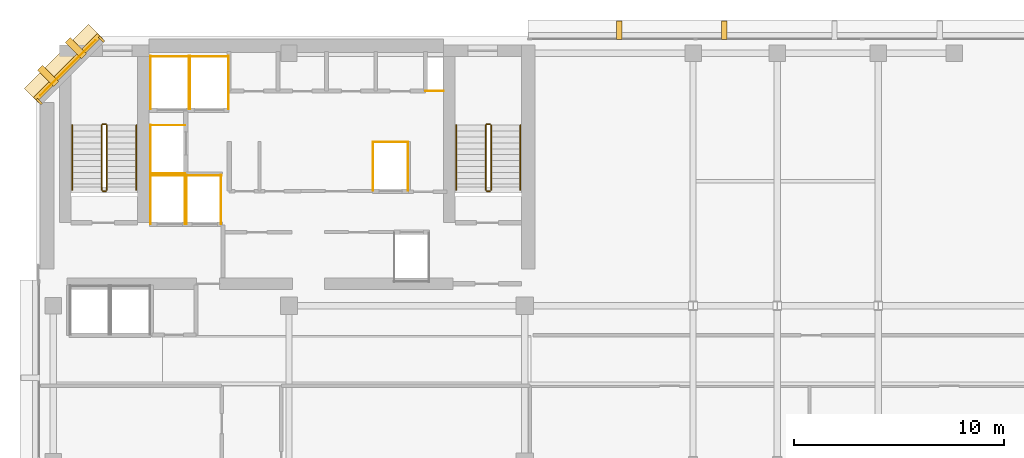
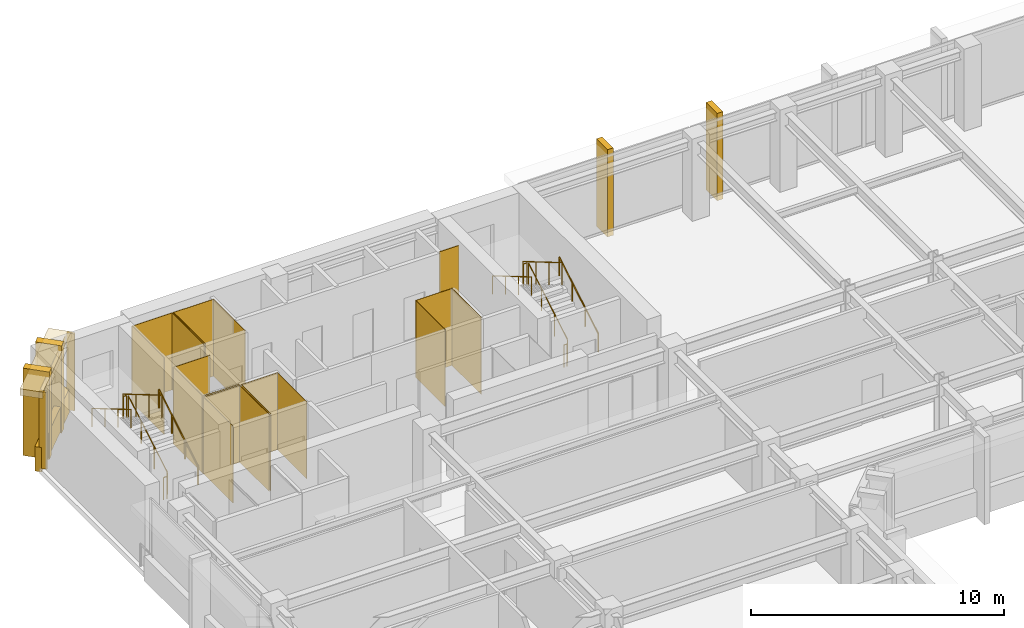
# One storey, part 11 of 12: 28 coverings, 12 railings.
"""IFC4 building model written with IfcOpenShell, lengths in metres."""

import ifcopenshell
import ifcopenshell.guid

model = None  # the IFC model being written
_history = None  # IfcOwnerHistory: only IFC2X3 demands one
_inside = {}  # id of a spatial element -> (the spatial element, [elements in it])
_under = {}  # id of a project, library or spatial element -> (it, [spatial elements below it])
_declared = {}  # id of a project -> (the project, [libraries it declares])
_typed = {}  # id of a type object -> (the type object, [elements of that type])
_made_of = {}  # id of a material, layer set ... -> (it, [elements and type objects made of it])


def new_model(schema):
    """Start an empty IFC model of exactly this schema.

    Asked for "IFC4X3", IfcOpenShell would pick the latest addendum, in which some entities
    have other attributes; the version numbers below select the first issue.
    IFC2X3 requires an IfcOwnerHistory on every rooted entity: one is made here for all.
    """
    global model, _history
    if schema == "IFC4X3":
        model = ifcopenshell.file(schema_version=(4, 3, 0, 0))
    else:
        model = ifcopenshell.file(schema=schema)
    _inside.clear()
    _under.clear()
    _declared.clear()
    _typed.clear()
    _made_of.clear()
    _history = None
    if model.schema == "IFC2X3":
        org = make("IfcOrganization", Name="unknown")
        user = make(
            "IfcPersonAndOrganization",
            ThePerson=make("IfcPerson", FamilyName="unknown"),
            TheOrganization=org,
        )
        app = make(
            "IfcApplication",
            ApplicationDeveloper=org,
            Version="unknown",
            ApplicationFullName="unknown",
            ApplicationIdentifier="unknown",
        )
        _history = make(
            "IfcOwnerHistory",
            OwningUser=user,
            OwningApplication=app,
            ChangeAction="ADDED",
            CreationDate=0,
        )
    return model


def make(cls, **values):
    """One entity of the class cls with the attributes given. An attribute that is None is left unset."""
    return model.create_entity(
        cls, **{name: value for name, value in values.items() if value is not None}
    )


def rooted(cls, **values):
    """An entity with a GlobalId (a new one), such as an element, a storey or a relation."""
    return make(cls, GlobalId=ifcopenshell.guid.new(), OwnerHistory=_history, **values)


def si_unit(unit_type, name, prefix=None):
    """IfcSIUnit, for example si_unit("LENGTHUNIT", "METRE", prefix="MILLI")."""
    return make("IfcSIUnit", UnitType=unit_type, Prefix=prefix, Name=name)


def assignment(units):
    """IfcUnitAssignment: the units of a project."""
    return None if units is None else make("IfcUnitAssignment", Units=units)


def point(xyz):
    """IfcCartesianPoint."""
    return None if xyz is None else make("IfcCartesianPoint", Coordinates=xyz)


def direction(xyz):
    """IfcDirection."""
    return None if xyz is None else make("IfcDirection", DirectionRatios=xyz)


def frame(location, z_axis=None, x_axis=None):
    """IfcAxis2Placement3D, a coordinate frame: its origin and axes. An axis left out is left unset."""
    return make(
        "IfcAxis2Placement3D",
        Location=point(location),
        Axis=direction(z_axis),
        RefDirection=direction(x_axis),
    )


def frame_2d(location, x_axis=None):
    """IfcAxis2Placement2D, a coordinate frame in the plane: its origin and x axis."""
    return make(
        "IfcAxis2Placement2D", Location=point(location), RefDirection=direction(x_axis)
    )


def origin():
    """The frame at (0, 0, 0) with its axes left unset."""
    return frame((0.0, 0.0, 0.0))


def origin_2d():
    """The frame at (0, 0) in the plane with its x axis left unset."""
    return frame_2d((0.0, 0.0))


def place(relative_to, where):
    """IfcLocalPlacement: puts the frame where relative to a parent placement (None: the world)."""
    return make(
        "IfcLocalPlacement", PlacementRelTo=relative_to, RelativePlacement=where
    )


def context(
    kind, dimensions, precision=None, world=None, true_north=None, identifier=None
):
    """IfcGeometricRepresentationContext, for example the 3D "Model" context."""
    return make(
        "IfcGeometricRepresentationContext",
        ContextIdentifier=identifier,
        ContextType=kind,
        CoordinateSpaceDimension=dimensions,
        Precision=precision,
        WorldCoordinateSystem=world,
        TrueNorth=true_north,
    )


def subcontext(parent, identifier, kind, view, scale=None):
    """IfcGeometricRepresentationSubContext, for example "Body" below "Model"."""
    return make(
        "IfcGeometricRepresentationSubContext",
        ContextIdentifier=identifier,
        ContextType=kind,
        ParentContext=parent,
        TargetScale=scale,
        TargetView=view,
    )


def project(units=None, contexts=None):
    """IfcProject with its units and contexts."""
    return rooted(
        "IfcProject",
        Name="project",
        RepresentationContexts=contexts,
        UnitsInContext=assignment(units),
    )


def spatial(cls, under=None, at=None, **own):
    """A site, building, storey or space (cls), placed at a placement, below another one or the project."""
    s = rooted(cls, ObjectPlacement=at, **own)
    if under is not None:
        _under.setdefault(under.id(), (under, []))[1].append(s)
    return s


def polyline(points):
    """IfcPolyline through the points."""
    return make("IfcPolyline", Points=[point(p) for p in points])


def profile(cls, at=None, kind="AREA", **sizes):
    """A parametric profile (cls). Its sizes go by their IFC names, for example OverallWidth=200.0."""
    return make(cls, ProfileType=kind, Position=at, **sizes)


def rectangle(**sizes):
    """IfcRectangleProfileDef."""
    return profile("IfcRectangleProfileDef", **sizes)


def circle(**sizes):
    """IfcCircleProfileDef."""
    return profile("IfcCircleProfileDef", **sizes)


def outline(outer, holes=None, kind="AREA"):
    """IfcArbitraryClosedProfileDef: a profile drawn as a closed curve; with holes, ...WithVoids."""
    if holes is None:
        return make("IfcArbitraryClosedProfileDef", ProfileType=kind, OuterCurve=outer)
    return make(
        "IfcArbitraryProfileDefWithVoids",
        ProfileType=kind,
        OuterCurve=outer,
        InnerCurves=holes,
    )


def extrude(swept, where, along, depth):
    """IfcExtrudedAreaSolid: the profile swept, set in the frame where, extruded along a direction by depth."""
    return make(
        "IfcExtrudedAreaSolid",
        SweptArea=swept,
        Position=where,
        ExtrudedDirection=direction(along),
        Depth=depth,
    )


def shape(context_of_items, identifier, shape_type, items):
    """IfcShapeRepresentation: the items that make up one representation, for example the "Body"."""
    return make(
        "IfcShapeRepresentation",
        ContextOfItems=context_of_items,
        RepresentationIdentifier=identifier,
        RepresentationType=shape_type,
        Items=items,
    )


def material(Name=None, Category=None):
    """IfcMaterial."""
    return make("IfcMaterial", Name=Name, Category=Category)


def layer(
    of_material, thickness, ventilated=None, Name=None, Category=None, Priority=None
):
    """IfcMaterialLayer: one layer of a wall or slab, of a material (None: an air gap)."""
    return make(
        "IfcMaterialLayer",
        Material=of_material,
        LayerThickness=thickness,
        IsVentilated=ventilated,
        Name=Name,
        Category=Category,
        Priority=Priority,
    )


def layer_set(layers, Name=None):
    """IfcMaterialLayerSet."""
    return make("IfcMaterialLayerSet", MaterialLayers=layers, LayerSetName=Name)


def made_of(thing, what):
    """Note that an element or type object is made of a material, layer set ...; save() writes the relation."""
    if what is not None:
        _made_of.setdefault(what.id(), (what, []))[1].append(thing)
    return thing


def type_object(cls, material=None, **own):
    """A type object (cls), such as IfcWallType, which elements share."""
    return made_of(rooted(cls, **own), material)


def element(
    cls,
    number,
    at=None,
    inside=None,
    cuts=None,
    type_object=None,
    material=None,
    context=None,
    identifier="Body",
    shape_type=None,
    held_by="IfcProductDefinitionShape",
    body=None,
    shapes=None,
    **own,
):
    """One element of the class cls, such as IfcWall. Its Tag is "e" and its number.

    at: its placement. inside: the storey or other place that contains it. cuts: it is an
    opening in that element (IfcRelVoidsElement). A single representation is given by context,
    identifier, shape_type and body (its items); several are given by shapes. held_by: the class
    of the entity that holds the representations. save() writes the other relations.
    """
    e = rooted(cls, Tag="e%d" % number, ObjectPlacement=at, **own)
    if body is not None:
        shapes = [shape(context, identifier, shape_type, body)]
    if shapes is not None:
        e.Representation = make(held_by, Representations=shapes)
    if inside is not None:
        _inside.setdefault(inside.id(), (inside, []))[1].append(e)
    if cuts is not None:
        rooted(
            "IfcRelVoidsElement", RelatingBuildingElement=cuts, RelatedOpeningElement=e
        )
    if type_object is not None:
        _typed.setdefault(type_object.id(), (type_object, []))[1].append(e)
    return made_of(e, material)


def aggregate(whole, parts):
    """IfcRelAggregates: a whole, such as a stair, and the parts it consists of."""
    return rooted("IfcRelAggregates", RelatingObject=whole, RelatedObjects=parts)


def save(model, path):
    """Write the relations noted so far, then the file.

    IfcRelAggregates (storeys below a building ...), IfcRelContainedInSpatialStructure (elements
    in a storey), IfcRelDefinesByType, IfcRelAssociatesMaterial and IfcRelDeclares: one each for
    every whole, place, type object, material and project.
    """
    for whole, parts in _under.values():
        aggregate(whole, parts)
    for where, things in _inside.values():
        rooted(
            "IfcRelContainedInSpatialStructure",
            RelatedElements=things,
            RelatingStructure=where,
        )
    for kind, things in _typed.values():
        rooted("IfcRelDefinesByType", RelatedObjects=things, RelatingType=kind)
    for what, things in _made_of.values():
        rooted("IfcRelAssociatesMaterial", RelatedObjects=things, RelatingMaterial=what)
    for by, libraries in _declared.values():
        rooted("IfcRelDeclares", RelatingContext=by, RelatedDefinitions=libraries)
    model.write(path)


model = new_model("IFC4")

# Units and contexts
model_context = context("Model", 3, precision=1e-05, world=origin(), true_north=direction((0.0, 1.0)))
body_context = subcontext(model_context, "Body", "Model", "MODEL_VIEW")
ifc_project = project(units=[si_unit("LENGTHUNIT", "METRE"), si_unit("AREAUNIT", "SQUARE_METRE"), si_unit("VOLUMEUNIT", "CUBIC_METRE"), si_unit("PLANEANGLEUNIT", "RADIAN"), si_unit("MASSUNIT", "GRAM", prefix="KILO")], contexts=[model_context])

# Site, building, storey
site_placement = place(None, origin())
site = spatial("IfcSite", under=ifc_project, at=site_placement, CompositionType="ELEMENT")
building_placement = place(site_placement, origin())
building = spatial("IfcBuilding", under=site, at=building_placement, Name="Kefirva Bronze Tower", CompositionType="ELEMENT")
storey_placement = place(building_placement, frame((0.0, 0.0, 264.330078125)))
storey = spatial("IfcBuildingStorey", under=building, at=storey_placement, Name="L64", CompositionType="ELEMENT", Elevation=264.330078125)

# Coverings
ifc_material_1 = material(Name="Bronze anodised aluminium", Category="aluminium")
ifc_layer_1 = layer(ifc_material_1, 0.02001953125, Name="Bronze anodised aluminium")
ifc_layer_set_1 = layer_set([ifc_layer_1], Name="Bronze anodised aluminium")
covering_type_1 = type_object("IfcCoveringType", Name="Anodised Bronze Spandrel Cladding 20mm", PredefinedType="CLADDING", material=ifc_layer_set_1)
covering_1_placement = place(storey_placement, frame((1.492919921875, 44.507080078125, 3.2900390625), z_axis=(0.0, 0.0, 1.0), x_axis=(-0.707106781187, -0.707106781187, 0.0)))
element("IfcCovering", 1, at=covering_1_placement, inside=storey, type_object=covering_type_1, Name="L64 Bronze Spandrel Cladding 9", PredefinedType="CLADDING", context=body_context, shape_type="SweptSolid", body=[
    extrude(rectangle(XDim=3.719482421875, YDim=0.02001953125, at=origin_2d()), origin(), (0.0, 0.0, 1.0), 0.39990234375),
])
for number, where, z_axis, x_axis, name in (
    (2, (3.08837890625, 45.862060546875, 0.0), (0.0, 0.0, 1.0), (-0.707106781187, -0.707106781187, 0.0), "L64 Facade Joint Closure Panel 9S"),
    (3, (0.137939453125, 42.91162109375, 0.0), (0.0, 0.0, 1.0), (-0.707106781187, -0.707106781187, 0.0), "L64 Facade Joint Closure Panel 9E"),
):
    element("IfcCovering", number, at=place(storey_placement, frame(where, z_axis=z_axis, x_axis=x_axis)), inside=storey, type_object=covering_type_1, Name=name, PredefinedType="CLADDING", context=body_context, shape_type="SweptSolid", body=[
        extrude(rectangle(XDim=0.10009765625, YDim=0.320068359375, at=origin_2d()), origin(), (0.0, 0.0, 1.0), 3.7099609375),
    ])
covering_2_placement = place(storey_placement, frame((1.4716796875, 44.5283203125, -0.16015625), z_axis=(0.0, 0.0, 1.0), x_axis=(-0.707106781187, -0.707106781187, 0.0)))
element("IfcCovering", 4, at=covering_2_placement, inside=storey, type_object=covering_type_1, Name="L64 Streamline Horizontal Spandrel Band 13", PredefinedType="CLADDING", context=body_context, shape_type="SweptSolid", body=[
    extrude(rectangle(XDim=4.28271484375, YDim=0.280029296875, at=origin_2d()), origin(), (0.0, 0.0, 1.0), 1.179931640625),
])
covering_3_placement = place(storey_placement, origin())
element("IfcCovering", 5, at=covering_3_placement, inside=storey, type_object=covering_type_1, Name="L64 Lift FF1 Hoistway Liner N", PredefinedType="CLADDING", context=body_context, shape_type="SweptSolid", body=[
    extrude(outline(polyline([(5.39990234375, 39.389892578125), (7.080078125, 39.389892578125), (7.080078125, 39.409912109375), (5.39990234375, 39.409912109375), (5.39990234375, 39.389892578125)])), origin(), (0.0, 0.0, 1.0), 3.7099609375),
])
covering_4_placement = place(storey_placement, origin())
element("IfcCovering", 6, at=covering_4_placement, inside=storey, type_object=covering_type_1, Name="L64 Lift FF1 Hoistway Liner W", PredefinedType="CLADDING", context=body_context, shape_type="SweptSolid", body=[
    extrude(outline(polyline([(5.409912109375, 37.080078125), (5.429931640625, 37.080078125), (5.429931640625, 39.419921875), (5.409912109375, 39.419921875), (5.409912109375, 37.080078125)])), origin(), (0.0, 0.0, 1.0), 3.7099609375),
])
covering_5_placement = place(storey_placement, origin())
element("IfcCovering", 7, at=covering_5_placement, inside=storey, type_object=covering_type_1, Name="L64 Lift FF1 Hoistway Liner E", PredefinedType="CLADDING", context=body_context, shape_type="SweptSolid", body=[
    extrude(outline(polyline([(7.050048828125, 37.080078125), (7.070068359375, 37.080078125), (7.070068359375, 39.419921875), (7.050048828125, 39.419921875), (7.050048828125, 37.080078125)])), origin(), (0.0, 0.0, 1.0), 3.7099609375),
])
covering_6_placement = place(storey_placement, origin())
element("IfcCovering", 8, at=covering_6_placement, inside=storey, type_object=covering_type_1, Name="L64 Lift FF2 Hoistway Liner N", PredefinedType="CLADDING", context=body_context, shape_type="SweptSolid", body=[
    extrude(outline(polyline([(7.1201171875, 39.389892578125), (8.800048828125, 39.389892578125), (8.800048828125, 39.409912109375), (7.1201171875, 39.409912109375), (7.1201171875, 39.389892578125)])), origin(), (0.0, 0.0, 1.0), 3.7099609375),
])
covering_7_placement = place(storey_placement, origin())
element("IfcCovering", 9, at=covering_7_placement, inside=storey, type_object=covering_type_1, Name="L64 Lift FF2 Hoistway Liner W", PredefinedType="CLADDING", context=body_context, shape_type="SweptSolid", body=[
    extrude(outline(polyline([(7.1298828125, 37.080078125), (7.14990234375, 37.080078125), (7.14990234375, 39.419921875), (7.1298828125, 39.419921875), (7.1298828125, 37.080078125)])), origin(), (0.0, 0.0, 1.0), 3.7099609375),
])
covering_8_placement = place(storey_placement, origin())
element("IfcCovering", 10, at=covering_8_placement, inside=storey, type_object=covering_type_1, Name="L64 Lift FF2 Hoistway Liner E", PredefinedType="CLADDING", context=body_context, shape_type="SweptSolid", body=[
    extrude(outline(polyline([(8.77001953125, 37.080078125), (8.7900390625, 37.080078125), (8.7900390625, 39.419921875), (8.77001953125, 39.419921875), (8.77001953125, 37.080078125)])), origin(), (0.0, 0.0, 1.0), 3.7099609375),
])
covering_9_placement = place(storey_placement, origin())
element("IfcCovering", 11, at=covering_9_placement, inside=storey, type_object=covering_type_1, Name="L64 Lift SV1 Hoistway Liner N", PredefinedType="CLADDING", context=body_context, shape_type="SweptSolid", body=[
    extrude(outline(polyline([(5.39990234375, 45.0400390625), (7.260009765625, 45.0400390625), (7.260009765625, 45.06005859375), (5.39990234375, 45.06005859375), (5.39990234375, 45.0400390625)])), origin(), (0.0, 0.0, 1.0), 3.7099609375),
])
covering_10_placement = place(storey_placement, origin())
element("IfcCovering", 12, at=covering_10_placement, inside=storey, type_object=covering_type_1, Name="L64 Lift SV1 Hoistway Liner W", PredefinedType="CLADDING", context=body_context, shape_type="SweptSolid", body=[
    extrude(outline(polyline([(5.409912109375, 42.530029296875), (5.429931640625, 42.530029296875), (5.429931640625, 45.070068359375), (5.409912109375, 45.070068359375), (5.409912109375, 42.530029296875)])), origin(), (0.0, 0.0, 1.0), 3.7099609375),
])
covering_11_placement = place(storey_placement, origin())
element("IfcCovering", 13, at=covering_11_placement, inside=storey, type_object=covering_type_1, Name="L64 Lift SV1 Hoistway Liner E", PredefinedType="CLADDING", context=body_context, shape_type="SweptSolid", body=[
    extrude(outline(polyline([(7.22998046875, 42.530029296875), (7.25, 42.530029296875), (7.25, 45.070068359375), (7.22998046875, 45.070068359375), (7.22998046875, 42.530029296875)])), origin(), (0.0, 0.0, 1.0), 3.7099609375),
])
covering_12_placement = place(storey_placement, origin())
element("IfcCovering", 14, at=covering_12_placement, inside=storey, type_object=covering_type_1, Name="L64 Lift SV2 Hoistway Liner N", PredefinedType="CLADDING", context=body_context, shape_type="SweptSolid", body=[
    extrude(outline(polyline([(7.280029296875, 45.0400390625), (9.139892578125, 45.0400390625), (9.139892578125, 45.06005859375), (7.280029296875, 45.06005859375), (7.280029296875, 45.0400390625)])), origin(), (0.0, 0.0, 1.0), 3.7099609375),
])
covering_13_placement = place(storey_placement, origin())
element("IfcCovering", 15, at=covering_13_placement, inside=storey, type_object=covering_type_1, Name="L64 Lift SV2 Hoistway Liner W", PredefinedType="CLADDING", context=body_context, shape_type="SweptSolid", body=[
    extrude(outline(polyline([(7.2900390625, 42.530029296875), (7.31005859375, 42.530029296875), (7.31005859375, 45.070068359375), (7.2900390625, 45.070068359375), (7.2900390625, 42.530029296875)])), origin(), (0.0, 0.0, 1.0), 3.7099609375),
])
covering_14_placement = place(storey_placement, origin())
element("IfcCovering", 16, at=covering_14_placement, inside=storey, type_object=covering_type_1, Name="L64 Lift SV2 Hoistway Liner E", PredefinedType="CLADDING", context=body_context, shape_type="SweptSolid", body=[
    extrude(outline(polyline([(9.110107421875, 42.530029296875), (9.1298828125, 42.530029296875), (9.1298828125, 45.070068359375), (9.110107421875, 45.070068359375), (9.110107421875, 42.530029296875)])), origin(), (0.0, 0.0, 1.0), 3.7099609375),
])
covering_15_placement = place(storey_placement, origin())
element("IfcCovering", 17, at=covering_15_placement, inside=storey, type_object=covering_type_1, Name="L64 Lift HP2 Hoistway Liner N", PredefinedType="CLADDING", context=body_context, shape_type="SweptSolid", body=[
    extrude(outline(polyline([(15.97998046875, 40.969970703125), (17.669921875, 40.969970703125), (17.669921875, 40.989990234375), (15.97998046875, 40.989990234375), (15.97998046875, 40.969970703125)])), origin(), (0.0, 0.0, 1.0), 3.7099609375),
])
covering_16_placement = place(storey_placement, origin())
element("IfcCovering", 18, at=covering_16_placement, inside=storey, type_object=covering_type_1, Name="L64 Lift HP2 Hoistway Liner W", PredefinedType="CLADDING", context=body_context, shape_type="SweptSolid", body=[
    extrude(outline(polyline([(15.989990234375, 38.659912109375), (16.010009765625, 38.659912109375), (16.010009765625, 41.0), (15.989990234375, 41.0), (15.989990234375, 38.659912109375)])), origin(), (0.0, 0.0, 1.0), 3.7099609375),
])
covering_17_placement = place(storey_placement, origin())
element("IfcCovering", 19, at=covering_17_placement, inside=storey, type_object=covering_type_1, Name="L64 Lift HP2 Hoistway Liner E", PredefinedType="CLADDING", context=body_context, shape_type="SweptSolid", body=[
    extrude(outline(polyline([(17.639892578125, 38.659912109375), (17.659912109375, 38.659912109375), (17.659912109375, 41.0), (17.639892578125, 41.0), (17.639892578125, 38.659912109375)])), origin(), (0.0, 0.0, 1.0), 3.7099609375),
])
covering_18_placement = place(storey_placement, origin())
element("IfcCovering", 20, at=covering_18_placement, inside=storey, type_object=covering_type_1, Name="L64 Lift HP3 Hoistway Liner N", PredefinedType="CLADDING", context=body_context, shape_type="SweptSolid", body=[
    extrude(outline(polyline([(5.39990234375, 41.77001953125), (7.080078125, 41.77001953125), (7.080078125, 41.7900390625), (5.39990234375, 41.7900390625), (5.39990234375, 41.77001953125)])), origin(), (0.0, 0.0, 1.0), 3.7099609375),
])
covering_19_placement = place(storey_placement, origin())
element("IfcCovering", 21, at=covering_19_placement, inside=storey, type_object=covering_type_1, Name="L64 Lift HP3 Hoistway Liner S", PredefinedType="CLADDING", context=body_context, shape_type="SweptSolid", body=[
    extrude(outline(polyline([(5.39990234375, 39.469970703125), (7.080078125, 39.469970703125), (7.080078125, 39.489990234375), (5.39990234375, 39.489990234375), (5.39990234375, 39.469970703125)])), origin(), (0.0, 0.0, 1.0), 3.7099609375),
])
covering_20_placement = place(storey_placement, origin())
element("IfcCovering", 22, at=covering_20_placement, inside=storey, type_object=covering_type_1, Name="L64 Lift HP3 Hoistway Liner W", PredefinedType="CLADDING", context=body_context, shape_type="SweptSolid", body=[
    extrude(outline(polyline([(5.409912109375, 39.4599609375), (5.429931640625, 39.4599609375), (5.429931640625, 41.800048828125), (5.409912109375, 41.800048828125), (5.409912109375, 39.4599609375)])), origin(), (0.0, 0.0, 1.0), 3.7099609375),
])
covering_21_placement = place(storey_placement, origin())
element("IfcCovering", 23, at=covering_21_placement, inside=storey, type_object=covering_type_1, Name="L64 Core MEP Riser Shaft Liner South", PredefinedType="CLADDING", context=body_context, shape_type="SweptSolid", body=[
    extrude(outline(polyline([(18.47998046875, 43.39990234375), (19.360107421875, 43.39990234375), (19.360107421875, 43.429931640625), (18.47998046875, 43.429931640625), (18.47998046875, 43.39990234375)])), origin(), (0.0, 0.0, 1.0), 3.7099609375),
])

# Railings
ifc_material_2 = material(Name="Stainless steel 316", Category="steel")
railing_type_1 = type_object("IfcRailingType", Name="Interior Stair Guardrail 1100mm", PredefinedType="GUARDRAIL", material=ifc_material_2)
railing_1_placement = place(storey_placement, frame((3.35009765625, 38.699951171875, 0.1650390625)))
element("IfcRailing", 24, at=railing_1_placement, inside=storey, type_object=railing_type_1, Name="L64 ST-1 stair guard 1", PredefinedType="GUARDRAIL", context=body_context, shape_type="SweptSolid", body=[
    extrude(circle(Radius=0.02392578125, at=origin_2d()), frame((0.0, 0.0, 1.076171875), z_axis=(0.0, 0.861551262678, 0.507670583921), x_axis=(-1.0, 0.0, 0.0)), (0.0, 0.0, 1.0), 3.574951171875),
    extrude(circle(Radius=0.02099609375, at=origin_2d()), origin(), (0.0, 0.0, 1.0), 1.052001953125),
    extrude(circle(Radius=0.02099609375, at=origin_2d()), frame((0.0, 1.026611328125, 0.60498046875)), (0.0, 0.0, 1.0), 1.052001953125),
    extrude(circle(Radius=0.02099609375, at=origin_2d()), frame((0.0, 2.053466796875, 1.2099609375)), (0.0, 0.0, 1.0), 1.052001953125),
    extrude(circle(Radius=0.02099609375, at=origin_2d()), frame((0.0, 3.080078125, 1.81494140625)), (0.0, 0.0, 1.0), 1.052001953125),
])
railing_2_placement = place(storey_placement, frame((3.300048828125, 41.830078125, 1.97998046875)))
element("IfcRailing", 25, at=railing_2_placement, inside=storey, type_object=railing_type_1, Name="L64 ST-1 stair guard 2", PredefinedType="GUARDRAIL", context=body_context, shape_type="SweptSolid", body=[
    extrude(circle(Radius=0.02392578125, at=origin_2d()), frame((0.0, 0.0, 1.076171875), z_axis=(-1.0, 0.0, 0.0), x_axis=(0.0, -1.0, 0.0)), (0.0, 0.0, 1.0), 0.150146484375),
    extrude(circle(Radius=0.02099609375, at=origin_2d()), origin(), (0.0, 0.0, 1.0), 1.052001953125),
    extrude(circle(Radius=0.02099609375, at=origin_2d()), frame((-0.150146484375, 0.0, 0.0)), (0.0, 0.0, 1.0), 1.052001953125),
])
railing_3_placement = place(storey_placement, frame((3.10009765625, 41.780029296875, 2.14501953125)))
element("IfcRailing", 26, at=railing_3_placement, inside=storey, type_object=railing_type_1, Name="L64 ST-1 stair guard 3", PredefinedType="GUARDRAIL", context=body_context, shape_type="SweptSolid", body=[
    extrude(circle(Radius=0.02392578125, at=origin_2d()), frame((0.0, 0.0, 1.076171875), z_axis=(0.0, -0.861551262678, 0.507670583921), x_axis=(1.0, 0.0, 0.0)), (0.0, 0.0, 1.0), 3.574951171875),
    extrude(circle(Radius=0.02099609375, at=origin_2d()), origin(), (0.0, 0.0, 1.0), 1.052001953125),
    extrude(circle(Radius=0.02099609375, at=origin_2d()), frame((0.0, -1.026611328125, 0.60498046875)), (0.0, 0.0, 1.0), 1.052001953125),
    extrude(circle(Radius=0.02099609375, at=origin_2d()), frame((0.0, -2.053466796875, 1.2099609375)), (0.0, 0.0, 1.0), 1.052001953125),
    extrude(circle(Radius=0.02099609375, at=origin_2d()), frame((0.0, -3.080078125, 1.81494140625)), (0.0, 0.0, 1.0), 1.052001953125),
])
railing_4_placement = place(storey_placement, frame((3.300048828125, 38.64990234375, 0.0)))
element("IfcRailing", 27, at=railing_4_placement, inside=storey, type_object=railing_type_1, Name="L64 ST-1 stair guard 4", PredefinedType="GUARDRAIL", context=body_context, shape_type="SweptSolid", body=[
    extrude(circle(Radius=0.02392578125, at=origin_2d()), frame((0.0, 0.0, 1.076171875), z_axis=(-1.0, 0.0, 0.0), x_axis=(0.0, -1.0, 0.0)), (0.0, 0.0, 1.0), 0.150146484375),
    extrude(circle(Radius=0.02099609375, at=origin_2d()), origin(), (0.0, 0.0, 1.0), 1.052001953125),
    extrude(circle(Radius=0.02099609375, at=origin_2d()), frame((-0.150146484375, 0.0, 0.0)), (0.0, 0.0, 1.0), 1.052001953125),
])
railing_5_placement = place(storey_placement, frame((21.60009765625, 38.699951171875, 0.1650390625)))
element("IfcRailing", 28, at=railing_5_placement, inside=storey, type_object=railing_type_1, Name="L64 ST-2 stair guard 1", PredefinedType="GUARDRAIL", context=body_context, shape_type="SweptSolid", body=[
    extrude(circle(Radius=0.02392578125, at=origin_2d()), frame((0.0, 0.0, 1.076171875), z_axis=(0.0, 0.861551262678, 0.507670583921), x_axis=(-1.0, 0.0, 0.0)), (0.0, 0.0, 1.0), 3.574951171875),
    extrude(circle(Radius=0.02099609375, at=origin_2d()), origin(), (0.0, 0.0, 1.0), 1.052001953125),
    extrude(circle(Radius=0.02099609375, at=origin_2d()), frame((0.0, 1.026611328125, 0.60498046875)), (0.0, 0.0, 1.0), 1.052001953125),
    extrude(circle(Radius=0.02099609375, at=origin_2d()), frame((0.0, 2.053466796875, 1.2099609375)), (0.0, 0.0, 1.0), 1.052001953125),
    extrude(circle(Radius=0.02099609375, at=origin_2d()), frame((0.0, 3.080078125, 1.81494140625)), (0.0, 0.0, 1.0), 1.052001953125),
])
railing_6_placement = place(storey_placement, frame((21.550048828125, 41.830078125, 1.97998046875)))
element("IfcRailing", 29, at=railing_6_placement, inside=storey, type_object=railing_type_1, Name="L64 ST-2 stair guard 2", PredefinedType="GUARDRAIL", context=body_context, shape_type="SweptSolid", body=[
    extrude(circle(Radius=0.02392578125, at=origin_2d()), frame((0.0, 0.0, 1.076171875), z_axis=(-1.0, 0.0, 0.0), x_axis=(0.0, -1.0, 0.0)), (0.0, 0.0, 1.0), 0.150146484375),
    extrude(circle(Radius=0.02099609375, at=origin_2d()), origin(), (0.0, 0.0, 1.0), 1.052001953125),
    extrude(circle(Radius=0.02099609375, at=origin_2d()), frame((-0.150146484375, 0.0, 0.0)), (0.0, 0.0, 1.0), 1.052001953125),
])
railing_7_placement = place(storey_placement, frame((21.35009765625, 41.780029296875, 2.14501953125)))
element("IfcRailing", 30, at=railing_7_placement, inside=storey, type_object=railing_type_1, Name="L64 ST-2 stair guard 3", PredefinedType="GUARDRAIL", context=body_context, shape_type="SweptSolid", body=[
    extrude(circle(Radius=0.02392578125, at=origin_2d()), frame((0.0, 0.0, 1.076171875), z_axis=(0.0, -0.861551262678, 0.507670583921), x_axis=(1.0, 0.0, 0.0)), (0.0, 0.0, 1.0), 3.574951171875),
    extrude(circle(Radius=0.02099609375, at=origin_2d()), origin(), (0.0, 0.0, 1.0), 1.052001953125),
    extrude(circle(Radius=0.02099609375, at=origin_2d()), frame((0.0, -1.026611328125, 0.60498046875)), (0.0, 0.0, 1.0), 1.052001953125),
    extrude(circle(Radius=0.02099609375, at=origin_2d()), frame((0.0, -2.053466796875, 1.2099609375)), (0.0, 0.0, 1.0), 1.052001953125),
    extrude(circle(Radius=0.02099609375, at=origin_2d()), frame((0.0, -3.080078125, 1.81494140625)), (0.0, 0.0, 1.0), 1.052001953125),
])
railing_8_placement = place(storey_placement, frame((21.550048828125, 38.64990234375, 0.0)))
element("IfcRailing", 31, at=railing_8_placement, inside=storey, type_object=railing_type_1, Name="L64 ST-2 stair guard 4", PredefinedType="GUARDRAIL", context=body_context, shape_type="SweptSolid", body=[
    extrude(circle(Radius=0.02392578125, at=origin_2d()), frame((0.0, 0.0, 1.076171875), z_axis=(-1.0, 0.0, 0.0), x_axis=(0.0, -1.0, 0.0)), (0.0, 0.0, 1.0), 0.150146484375),
    extrude(circle(Radius=0.02099609375, at=origin_2d()), origin(), (0.0, 0.0, 1.0), 1.052001953125),
    extrude(circle(Radius=0.02099609375, at=origin_2d()), frame((-0.150146484375, 0.0, 0.0)), (0.0, 0.0, 1.0), 1.052001953125),
])
railing_type_2 = type_object("IfcRailingType", Name="Stair Pitch Handrail 900mm", PredefinedType="HANDRAIL", material=ifc_material_2)
railing_9_placement = place(storey_placement, frame((4.75, 38.699951171875, 0.1650390625)))
element("IfcRailing", 32, at=railing_9_placement, inside=storey, type_object=railing_type_2, Name="L64 ST-1 stair handrail 1", PredefinedType="HANDRAIL", context=body_context, shape_type="SweptSolid", body=[
    extrude(circle(Radius=0.02392578125, at=origin_2d()), frame((0.0, 0.0, 0.8759765625), z_axis=(0.0, 0.861551262678, 0.507670583921), x_axis=(-1.0, 0.0, 0.0)), (0.0, 0.0, 1.0), 3.574951171875),
    extrude(circle(Radius=0.02099609375, at=origin_2d()), origin(), (0.0, 0.0, 1.0), 0.851806640625),
    extrude(circle(Radius=0.02099609375, at=origin_2d()), frame((0.0, 1.026611328125, 0.60498046875)), (0.0, 0.0, 1.0), 0.851806640625),
    extrude(circle(Radius=0.02099609375, at=origin_2d()), frame((0.0, 2.053466796875, 1.2099609375)), (0.0, 0.0, 1.0), 0.851806640625),
    extrude(circle(Radius=0.02099609375, at=origin_2d()), frame((0.0, 3.080078125, 1.81494140625)), (0.0, 0.0, 1.0), 0.851806640625),
])
railing_10_placement = place(storey_placement, frame((1.699951171875, 41.780029296875, 2.14501953125)))
element("IfcRailing", 33, at=railing_10_placement, inside=storey, type_object=railing_type_2, Name="L64 ST-1 stair handrail 2", PredefinedType="HANDRAIL", context=body_context, shape_type="SweptSolid", body=[
    extrude(circle(Radius=0.02392578125, at=origin_2d()), frame((0.0, 0.0, 0.8759765625), z_axis=(0.0, -0.861551262678, 0.507670583921), x_axis=(1.0, 0.0, 0.0)), (0.0, 0.0, 1.0), 3.574951171875),
    extrude(circle(Radius=0.02099609375, at=origin_2d()), origin(), (0.0, 0.0, 1.0), 0.851806640625),
    extrude(circle(Radius=0.02099609375, at=origin_2d()), frame((0.0, -1.026611328125, 0.60498046875)), (0.0, 0.0, 1.0), 0.851806640625),
    extrude(circle(Radius=0.02099609375, at=origin_2d()), frame((0.0, -2.053466796875, 1.2099609375)), (0.0, 0.0, 1.0), 0.851806640625),
    extrude(circle(Radius=0.02099609375, at=origin_2d()), frame((0.0, -3.080078125, 1.81494140625)), (0.0, 0.0, 1.0), 0.851806640625),
])
railing_11_placement = place(storey_placement, frame((23.0, 38.699951171875, 0.1650390625)))
element("IfcRailing", 34, at=railing_11_placement, inside=storey, type_object=railing_type_2, Name="L64 ST-2 stair handrail 1", PredefinedType="HANDRAIL", context=body_context, shape_type="SweptSolid", body=[
    extrude(circle(Radius=0.02392578125, at=origin_2d()), frame((0.0, 0.0, 0.8759765625), z_axis=(0.0, 0.861551262678, 0.507670583921), x_axis=(-1.0, 0.0, 0.0)), (0.0, 0.0, 1.0), 3.574951171875),
    extrude(circle(Radius=0.02099609375, at=origin_2d()), origin(), (0.0, 0.0, 1.0), 0.851806640625),
    extrude(circle(Radius=0.02099609375, at=origin_2d()), frame((0.0, 1.026611328125, 0.60498046875)), (0.0, 0.0, 1.0), 0.851806640625),
    extrude(circle(Radius=0.02099609375, at=origin_2d()), frame((0.0, 2.053466796875, 1.2099609375)), (0.0, 0.0, 1.0), 0.851806640625),
    extrude(circle(Radius=0.02099609375, at=origin_2d()), frame((0.0, 3.080078125, 1.81494140625)), (0.0, 0.0, 1.0), 0.851806640625),
])
railing_12_placement = place(storey_placement, frame((19.949951171875, 41.780029296875, 2.14501953125)))
element("IfcRailing", 35, at=railing_12_placement, inside=storey, type_object=railing_type_2, Name="L64 ST-2 stair handrail 2", PredefinedType="HANDRAIL", context=body_context, shape_type="SweptSolid", body=[
    extrude(circle(Radius=0.02392578125, at=origin_2d()), frame((0.0, 0.0, 0.8759765625), z_axis=(0.0, -0.861551262678, 0.507670583921), x_axis=(1.0, 0.0, 0.0)), (0.0, 0.0, 1.0), 3.574951171875),
    extrude(circle(Radius=0.02099609375, at=origin_2d()), origin(), (0.0, 0.0, 1.0), 0.851806640625),
    extrude(circle(Radius=0.02099609375, at=origin_2d()), frame((0.0, -1.026611328125, 0.60498046875)), (0.0, 0.0, 1.0), 0.851806640625),
    extrude(circle(Radius=0.02099609375, at=origin_2d()), frame((0.0, -2.053466796875, 1.2099609375)), (0.0, 0.0, 1.0), 0.851806640625),
    extrude(circle(Radius=0.02099609375, at=origin_2d()), frame((0.0, -3.080078125, 1.81494140625)), (0.0, 0.0, 1.0), 0.851806640625),
])

# Coverings
ifc_layer_2 = layer(ifc_material_1, 0.179931640625, Name="Bronze anodised aluminium")
ifc_layer_set_2 = layer_set([ifc_layer_2], Name="Bronze anodised aluminium")
covering_type_2 = type_object("IfcCoveringType", Name="Streamline Bronze Sunshade Eyebrow Cladding 180mm", PredefinedType="CLADDING", material=ifc_layer_set_2)
covering_22_placement = place(storey_placement, frame((1.28076171875, 44.71923828125, 3.3896484375), z_axis=(0.0, 0.0, 1.0), x_axis=(-0.707106781187, -0.707106781187, 0.0)))
element("IfcCovering", 36, at=covering_22_placement, inside=storey, type_object=covering_type_2, Name="L64 Streamline Bronze Sunshade Eyebrow 13", PredefinedType="CLADDING", context=body_context, shape_type="SweptSolid", body=[
    extrude(rectangle(XDim=4.322509765625, YDim=0.93994140625, at=origin_2d()), origin(), (0.0, 0.0, 1.0), 0.320068359375),
])
ifc_layer_3 = layer(ifc_material_1, 0.260009765625, Name="Bronze anodised aluminium")
ifc_layer_set_3 = layer_set([ifc_layer_3], Name="Bronze anodised aluminium")
covering_type_3 = type_object("IfcCoveringType", Name="Unbroken Bronze Buttress Fin Cladding 260mm", PredefinedType="CLADDING", material=ifc_layer_set_3)
for number, where, z_axis, x_axis, name in (
    (37, (32.68505859375, 46.300048828125, -0.25), (0.0, 0.0, 1.0), (-1.0, 0.0, 0.0), "L64 Unbroken Vertical Bronze Rib Fin 19"),
    (38, (27.68798828125, 46.300048828125, -0.25), (0.0, 0.0, 1.0), (-1.0, 0.0, 0.0), "L64 Unbroken Vertical Bronze Rib Fin 20"),
):
    element("IfcCovering", number, at=place(storey_placement, frame(where, z_axis=z_axis, x_axis=x_axis)), inside=storey, type_object=covering_type_3, Name=name, PredefinedType="CLADDING", context=body_context, shape_type="SweptSolid", body=[
        extrude(rectangle(XDim=0.260009765625, YDim=0.8798828125, at=origin_2d()), origin(), (0.0, 0.0, 1.0), 4.2099609375),
    ])
for number, where, z_axis, x_axis, name in (
    (39, (1.877197265625, 45.44287109375, -0.25), (0.0, 0.0, 1.0), (-0.707106781187, -0.707106781187, 0.0), "L64 Chamfered Corner Buttress Fin Cladding 21"),
    (40, (0.55712890625, 44.122802734375, -0.25), (0.0, 0.0, 1.0), (-0.707106781187, -0.707106781187, 0.0), "L64 Chamfered Corner Buttress Fin Cladding 22"),
):
    element("IfcCovering", number, at=place(storey_placement, frame(where, z_axis=z_axis, x_axis=x_axis)), inside=storey, type_object=covering_type_3, Name=name, PredefinedType="CLADDING", context=body_context, shape_type="SweptSolid", body=[
        extrude(rectangle(XDim=0.340087890625, YDim=1.080078125, at=origin_2d()), origin(), (0.0, 0.0, 1.0), 4.2099609375),
    ])

save(model, "model.ifc")
